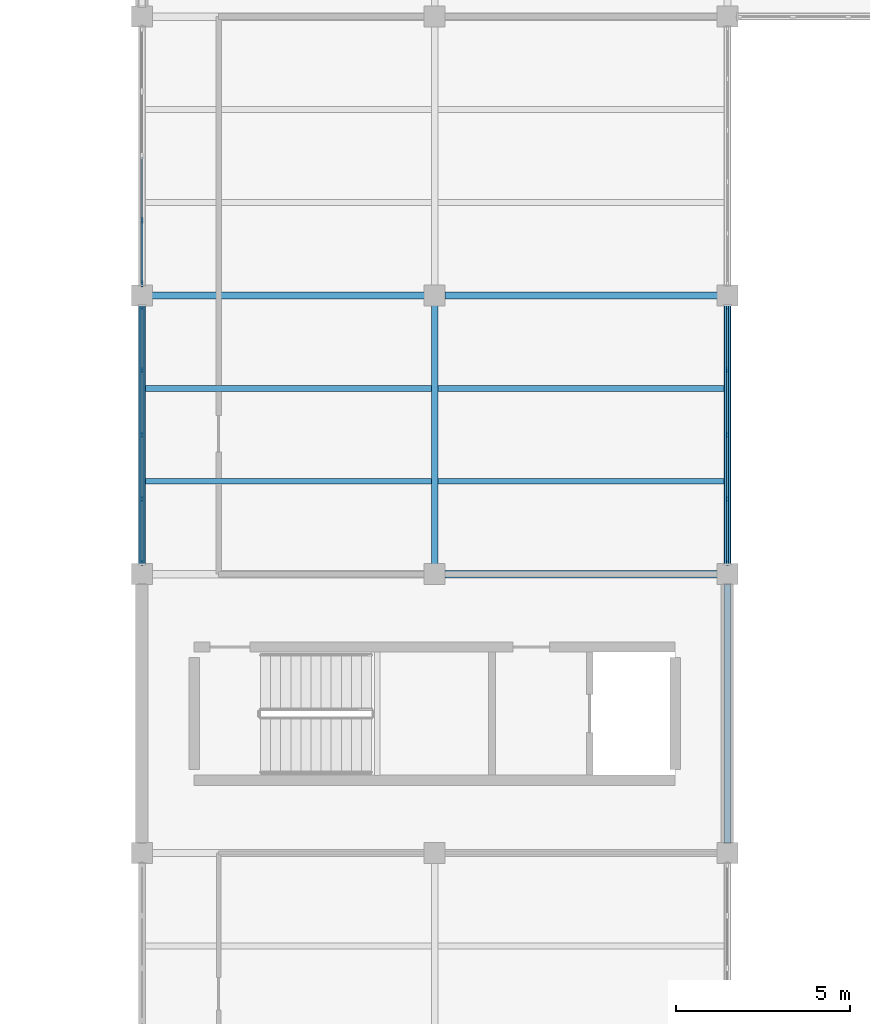
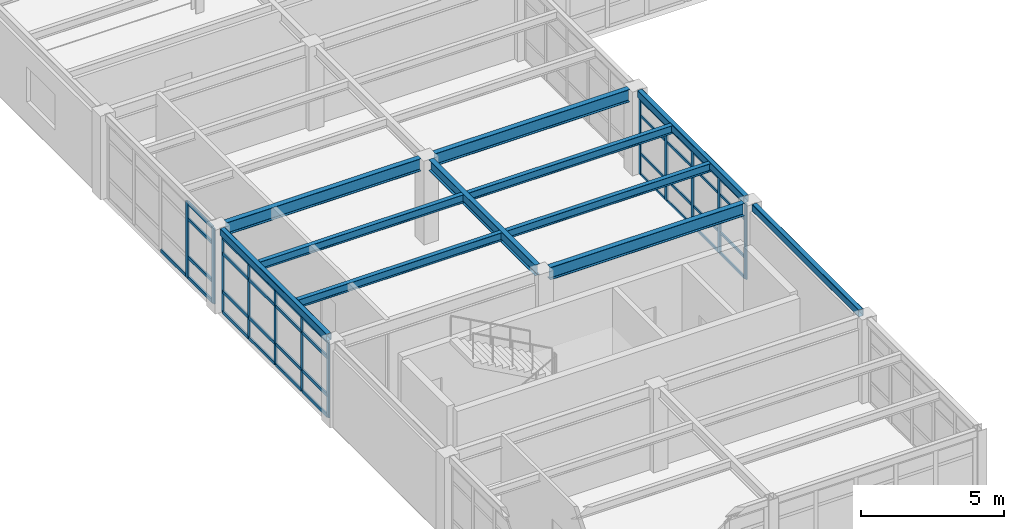
# One storey, part 26 of 96: 49 members, 11 beams, 3 elements without a shape of their own.
"""IFC4 building model written with IfcOpenShell, lengths in metres."""

import ifcopenshell
import ifcopenshell.guid

model = None  # the IFC model being written
_history = None  # IfcOwnerHistory: only IFC2X3 demands one
_inside = {}  # id of a spatial element -> (the spatial element, [elements in it])
_under = {}  # id of a project, library or spatial element -> (it, [spatial elements below it])
_declared = {}  # id of a project -> (the project, [libraries it declares])
_typed = {}  # id of a type object -> (the type object, [elements of that type])
_made_of = {}  # id of a material, layer set ... -> (it, [elements and type objects made of it])


def new_model(schema):
    """Start an empty IFC model of exactly this schema.

    Asked for "IFC4X3", IfcOpenShell would pick the latest addendum, in which some entities
    have other attributes; the version numbers below select the first issue.
    IFC2X3 requires an IfcOwnerHistory on every rooted entity: one is made here for all.
    """
    global model, _history
    if schema == "IFC4X3":
        model = ifcopenshell.file(schema_version=(4, 3, 0, 0))
    else:
        model = ifcopenshell.file(schema=schema)
    _inside.clear()
    _under.clear()
    _declared.clear()
    _typed.clear()
    _made_of.clear()
    _history = None
    if model.schema == "IFC2X3":
        org = make("IfcOrganization", Name="unknown")
        user = make(
            "IfcPersonAndOrganization",
            ThePerson=make("IfcPerson", FamilyName="unknown"),
            TheOrganization=org,
        )
        app = make(
            "IfcApplication",
            ApplicationDeveloper=org,
            Version="unknown",
            ApplicationFullName="unknown",
            ApplicationIdentifier="unknown",
        )
        _history = make(
            "IfcOwnerHistory",
            OwningUser=user,
            OwningApplication=app,
            ChangeAction="ADDED",
            CreationDate=0,
        )
    return model


def make(cls, **values):
    """One entity of the class cls with the attributes given. An attribute that is None is left unset."""
    return model.create_entity(
        cls, **{name: value for name, value in values.items() if value is not None}
    )


def rooted(cls, **values):
    """An entity with a GlobalId (a new one), such as an element, a storey or a relation."""
    return make(cls, GlobalId=ifcopenshell.guid.new(), OwnerHistory=_history, **values)


def si_unit(unit_type, name, prefix=None):
    """IfcSIUnit, for example si_unit("LENGTHUNIT", "METRE", prefix="MILLI")."""
    return make("IfcSIUnit", UnitType=unit_type, Prefix=prefix, Name=name)


def assignment(units):
    """IfcUnitAssignment: the units of a project."""
    return None if units is None else make("IfcUnitAssignment", Units=units)


def point(xyz):
    """IfcCartesianPoint."""
    return None if xyz is None else make("IfcCartesianPoint", Coordinates=xyz)


def direction(xyz):
    """IfcDirection."""
    return None if xyz is None else make("IfcDirection", DirectionRatios=xyz)


def frame(location, z_axis=None, x_axis=None):
    """IfcAxis2Placement3D, a coordinate frame: its origin and axes. An axis left out is left unset."""
    return make(
        "IfcAxis2Placement3D",
        Location=point(location),
        Axis=direction(z_axis),
        RefDirection=direction(x_axis),
    )


def frame_2d(location, x_axis=None):
    """IfcAxis2Placement2D, a coordinate frame in the plane: its origin and x axis."""
    return make(
        "IfcAxis2Placement2D", Location=point(location), RefDirection=direction(x_axis)
    )


def origin():
    """The frame at (0, 0, 0) with its axes left unset."""
    return frame((0.0, 0.0, 0.0))


def origin_2d():
    """The frame at (0, 0) in the plane with its x axis left unset."""
    return frame_2d((0.0, 0.0))


def place(relative_to, where):
    """IfcLocalPlacement: puts the frame where relative to a parent placement (None: the world)."""
    return make(
        "IfcLocalPlacement", PlacementRelTo=relative_to, RelativePlacement=where
    )


def context(
    kind, dimensions, precision=None, world=None, true_north=None, identifier=None
):
    """IfcGeometricRepresentationContext, for example the 3D "Model" context."""
    return make(
        "IfcGeometricRepresentationContext",
        ContextIdentifier=identifier,
        ContextType=kind,
        CoordinateSpaceDimension=dimensions,
        Precision=precision,
        WorldCoordinateSystem=world,
        TrueNorth=true_north,
    )


def subcontext(parent, identifier, kind, view, scale=None):
    """IfcGeometricRepresentationSubContext, for example "Body" below "Model"."""
    return make(
        "IfcGeometricRepresentationSubContext",
        ContextIdentifier=identifier,
        ContextType=kind,
        ParentContext=parent,
        TargetScale=scale,
        TargetView=view,
    )


def project(units=None, contexts=None):
    """IfcProject with its units and contexts."""
    return rooted(
        "IfcProject",
        Name="project",
        RepresentationContexts=contexts,
        UnitsInContext=assignment(units),
    )


def spatial(cls, under=None, at=None, **own):
    """A site, building, storey or space (cls), placed at a placement, below another one or the project."""
    s = rooted(cls, ObjectPlacement=at, **own)
    if under is not None:
        _under.setdefault(under.id(), (under, []))[1].append(s)
    return s


def profile(cls, at=None, kind="AREA", **sizes):
    """A parametric profile (cls). Its sizes go by their IFC names, for example OverallWidth=200.0."""
    return make(cls, ProfileType=kind, Position=at, **sizes)


def rectangle(**sizes):
    """IfcRectangleProfileDef."""
    return profile("IfcRectangleProfileDef", **sizes)


def hollow_rectangle(**sizes):
    """IfcRectangleHollowProfileDef."""
    return profile("IfcRectangleHollowProfileDef", **sizes)


def i_section(**sizes):
    """IfcIShapeProfileDef."""
    return profile("IfcIShapeProfileDef", **sizes)


def extrude(swept, where, along, depth):
    """IfcExtrudedAreaSolid: the profile swept, set in the frame where, extruded along a direction by depth."""
    return make(
        "IfcExtrudedAreaSolid",
        SweptArea=swept,
        Position=where,
        ExtrudedDirection=direction(along),
        Depth=depth,
    )


def shape(context_of_items, identifier, shape_type, items):
    """IfcShapeRepresentation: the items that make up one representation, for example the "Body"."""
    return make(
        "IfcShapeRepresentation",
        ContextOfItems=context_of_items,
        RepresentationIdentifier=identifier,
        RepresentationType=shape_type,
        Items=items,
    )


def material(Name=None, Category=None):
    """IfcMaterial."""
    return make("IfcMaterial", Name=Name, Category=Category)


def layer(
    of_material, thickness, ventilated=None, Name=None, Category=None, Priority=None
):
    """IfcMaterialLayer: one layer of a wall or slab, of a material (None: an air gap)."""
    return make(
        "IfcMaterialLayer",
        Material=of_material,
        LayerThickness=thickness,
        IsVentilated=ventilated,
        Name=Name,
        Category=Category,
        Priority=Priority,
    )


def layer_set(layers, Name=None):
    """IfcMaterialLayerSet."""
    return make("IfcMaterialLayerSet", MaterialLayers=layers, LayerSetName=Name)


def material_profile(
    of_material, cross_section, Name=None, Category=None, Priority=None
):
    """IfcMaterialProfile: a cross section and its material."""
    return make(
        "IfcMaterialProfile",
        Name=Name,
        Material=of_material,
        Profile=cross_section,
        Priority=Priority,
        Category=Category,
    )


def profile_set(profiles, Name=None, composite=None):
    """IfcMaterialProfileSet."""
    return make(
        "IfcMaterialProfileSet",
        Name=Name,
        MaterialProfiles=profiles,
        CompositeProfile=composite,
    )


def made_of(thing, what):
    """Note that an element or type object is made of a material, layer set ...; save() writes the relation."""
    if what is not None:
        _made_of.setdefault(what.id(), (what, []))[1].append(thing)
    return thing


def type_object(cls, material=None, **own):
    """A type object (cls), such as IfcWallType, which elements share."""
    return made_of(rooted(cls, **own), material)


def element(
    cls,
    number,
    at=None,
    inside=None,
    cuts=None,
    type_object=None,
    material=None,
    context=None,
    identifier="Body",
    shape_type=None,
    held_by="IfcProductDefinitionShape",
    body=None,
    shapes=None,
    **own,
):
    """One element of the class cls, such as IfcWall. Its Tag is "e" and its number.

    at: its placement. inside: the storey or other place that contains it. cuts: it is an
    opening in that element (IfcRelVoidsElement). A single representation is given by context,
    identifier, shape_type and body (its items); several are given by shapes. held_by: the class
    of the entity that holds the representations. save() writes the other relations.
    """
    e = rooted(cls, Tag="e%d" % number, ObjectPlacement=at, **own)
    if body is not None:
        shapes = [shape(context, identifier, shape_type, body)]
    if shapes is not None:
        e.Representation = make(held_by, Representations=shapes)
    if inside is not None:
        _inside.setdefault(inside.id(), (inside, []))[1].append(e)
    if cuts is not None:
        rooted(
            "IfcRelVoidsElement", RelatingBuildingElement=cuts, RelatedOpeningElement=e
        )
    if type_object is not None:
        _typed.setdefault(type_object.id(), (type_object, []))[1].append(e)
    return made_of(e, material)


def aggregate(whole, parts):
    """IfcRelAggregates: a whole, such as a stair, and the parts it consists of."""
    return rooted("IfcRelAggregates", RelatingObject=whole, RelatedObjects=parts)


def save(model, path):
    """Write the relations noted so far, then the file.

    IfcRelAggregates (storeys below a building ...), IfcRelContainedInSpatialStructure (elements
    in a storey), IfcRelDefinesByType, IfcRelAssociatesMaterial and IfcRelDeclares: one each for
    every whole, place, type object, material and project.
    """
    for whole, parts in _under.values():
        aggregate(whole, parts)
    for where, things in _inside.values():
        rooted(
            "IfcRelContainedInSpatialStructure",
            RelatedElements=things,
            RelatingStructure=where,
        )
    for kind, things in _typed.values():
        rooted("IfcRelDefinesByType", RelatedObjects=things, RelatingType=kind)
    for what, things in _made_of.values():
        rooted("IfcRelAssociatesMaterial", RelatedObjects=things, RelatingMaterial=what)
    for by, libraries in _declared.values():
        rooted("IfcRelDeclares", RelatingContext=by, RelatedDefinitions=libraries)
    model.write(path)


model = new_model("IFC4")

# Units and contexts
model_context = context("Model", 3, precision=1e-05, world=origin(), true_north=direction((0.0, 1.0)))
body_context = subcontext(model_context, "Body", "Model", "MODEL_VIEW")
ifc_project = project(units=[si_unit("LENGTHUNIT", "METRE"), si_unit("AREAUNIT", "SQUARE_METRE"), si_unit("VOLUMEUNIT", "CUBIC_METRE"), si_unit("PLANEANGLEUNIT", "RADIAN"), si_unit("MASSUNIT", "GRAM", prefix="KILO")], contexts=[model_context])

# Site, building, storey
site_placement = place(None, origin())
site = spatial("IfcSite", under=ifc_project, at=site_placement, CompositionType="ELEMENT")
building_placement = place(site_placement, origin())
building = spatial("IfcBuilding", under=site, at=building_placement, Name="Kranzveld Transit Interchange", CompositionType="ELEMENT")
storey_placement = place(building_placement, frame((0.0, 0.0, 9.52001953125)))
storey = spatial("IfcBuildingStorey", under=building, at=storey_placement, Name="L02", CompositionType="ELEMENT", Elevation=9.52001953125)

# Beam
ifc_material_1 = material(Name="Steel S355JR", Category="steel")
ifc_material_profile_1 = material_profile(ifc_material_1, i_section(OverallWidth=0.19189453125, OverallDepth=0.46337890625, WebThickness=0.010498046875, FlangeThickness=0.017578125, FilletRadius=0.01025390625, at=origin_2d()), Name="UB 457x191x89")
ifc_profile_set_1 = profile_set([ifc_material_profile_1], Name="Steel S355JR")
beam_type_1 = type_object("IfcBeamType", Name="Beam Steel UB 457x191x89 S355JR", PredefinedType="BEAM", material=ifc_profile_set_1)
beam_1_placement = place(storey_placement, frame((109.199951171875, 80.2900390625, 3.33837890625), z_axis=(0.0, 1.0, 0.0), x_axis=(-1.0, 0.0, 0.0)))
element("IfcBeam", 1, at=beam_1_placement, inside=storey, type_object=beam_type_1, Name="L02 Girder 14/L-M", PredefinedType="BEAM", context=body_context, shape_type="SweptSolid", body=[
    extrude(i_section(OverallWidth=0.19189453125, OverallDepth=0.46337890625, WebThickness=0.010498046875, FlangeThickness=0.017578125, FilletRadius=0.01025390625, at=origin_2d()), origin(), (0.0, 0.0, 1.0), 7.419921875),
])

# Curtain wall, members
ifc_material_2 = material(Name="Bronze-anodised thermally broken aluminium", Category="aluminium")
ifc_layer_1 = layer(ifc_material_2, 0.159912109375)
ifc_layer_set_1 = layer_set([ifc_layer_1], Name="Bronze-anodised thermally broken aluminium")
curtain_wall_type_1 = type_object("IfcCurtainWallType", Name="Bus Boarding Glazed Screen CW-3", PredefinedType="USERDEFINED", material=ifc_layer_set_1)
curtain_wall_1_placement = place(storey_placement, origin())
curtain_wall_1 = element("IfcCurtainWall", 2, at=curtain_wall_1_placement, inside=storey, type_object=curtain_wall_type_1, Name="L02 Curtain Wall 15/L-15/M", ObjectType="CURTAIN WALL", PredefinedType="USERDEFINED")
ifc_material_3 = material(Name="Bronze-anodised thermally broken aluminium", Category="aluminium")
ifc_material_profile_2 = material_profile(ifc_material_3, rectangle(XDim=0.06005859375, YDim=0.14990234375, at=origin_2d()), Name="ALU MULLION 60x150")
ifc_profile_set_2 = profile_set([ifc_material_profile_2], Name="Bronze-anodised thermally broken aluminium")
member_type_1 = type_object("IfcMemberType", Name="Curtain Wall Mullion 60x150 Alu", PredefinedType="MULLION", material=ifc_profile_set_2)
member_1_placement = place(storey_placement, frame((117.60009765625, 80.330078125, 0.0), z_axis=(0.0, 0.0, 1.0), x_axis=(-1.0, 0.0, 0.0)))
member_1 = element("IfcMember", 3, at=member_1_placement, type_object=member_type_1, Name="CW-3 mullion 1", PredefinedType="MULLION", context=body_context, shape_type="SweptSolid", body=[
    extrude(rectangle(XDim=0.06005859375, YDim=0.14990234375, at=origin_2d()), origin(), (0.0, 0.0, 1.0), 3.218505859375),
])
member_2_placement = place(storey_placement, frame((117.60009765625, 82.14990234375, 0.0), z_axis=(0.0, 0.0, 1.0), x_axis=(-1.0, 0.0, 0.0)))
member_2 = element("IfcMember", 4, at=member_2_placement, type_object=member_type_1, Name="CW-3 mullion 2", PredefinedType="MULLION", context=body_context, shape_type="SweptSolid", body=[
    extrude(rectangle(XDim=0.06005859375, YDim=0.14990234375, at=origin_2d()), origin(), (0.0, 0.0, 1.0), 3.218505859375),
])
member_3_placement = place(storey_placement, frame((117.60009765625, 84.0, 0.0), z_axis=(0.0, 0.0, 1.0), x_axis=(-1.0, 0.0, 0.0)))
member_3 = element("IfcMember", 5, at=member_3_placement, type_object=member_type_1, Name="CW-3 mullion 3", PredefinedType="MULLION", context=body_context, shape_type="SweptSolid", body=[
    extrude(rectangle(XDim=0.06005859375, YDim=0.14990234375, at=origin_2d()), origin(), (0.0, 0.0, 1.0), 3.218505859375),
])
member_4_placement = place(storey_placement, frame((117.60009765625, 85.85009765625, 0.0), z_axis=(0.0, 0.0, 1.0), x_axis=(-1.0, 0.0, 0.0)))
member_4 = element("IfcMember", 6, at=member_4_placement, type_object=member_type_1, Name="CW-3 mullion 4", PredefinedType="MULLION", context=body_context, shape_type="SweptSolid", body=[
    extrude(rectangle(XDim=0.06005859375, YDim=0.14990234375, at=origin_2d()), origin(), (0.0, 0.0, 1.0), 3.218505859375),
])
member_5_placement = place(storey_placement, frame((117.60009765625, 87.669921875, 0.0), z_axis=(0.0, 0.0, 1.0), x_axis=(-1.0, 0.0, 0.0)))
member_5 = element("IfcMember", 7, at=member_5_placement, type_object=member_type_1, Name="CW-3 mullion 5", PredefinedType="MULLION", context=body_context, shape_type="SweptSolid", body=[
    extrude(rectangle(XDim=0.06005859375, YDim=0.14990234375, at=origin_2d()), origin(), (0.0, 0.0, 1.0), 3.218505859375),
])

curtain_wall_2_placement = place(storey_placement, origin())
curtain_wall_2 = element("IfcCurtainWall", 8, at=curtain_wall_2_placement, inside=storey, type_object=curtain_wall_type_1, Name="L02 Curtain Wall 13/L-13/M", ObjectType="CURTAIN WALL", PredefinedType="USERDEFINED")
member_6_placement = place(storey_placement, frame((100.800048828125, 80.330078125, 0.0), z_axis=(0.0, 0.0, 1.0), x_axis=(-1.0, 0.0, 0.0)))
member_6 = element("IfcMember", 9, at=member_6_placement, type_object=member_type_1, Name="CW-3 mullion 1", PredefinedType="MULLION", context=body_context, shape_type="SweptSolid", body=[
    extrude(rectangle(XDim=0.06005859375, YDim=0.14990234375, at=origin_2d()), origin(), (0.0, 0.0, 1.0), 3.218505859375),
])
member_7_placement = place(storey_placement, frame((100.800048828125, 82.14990234375, 0.0), z_axis=(0.0, 0.0, 1.0), x_axis=(-1.0, 0.0, 0.0)))
member_7 = element("IfcMember", 10, at=member_7_placement, type_object=member_type_1, Name="CW-3 mullion 2", PredefinedType="MULLION", context=body_context, shape_type="SweptSolid", body=[
    extrude(rectangle(XDim=0.06005859375, YDim=0.14990234375, at=origin_2d()), origin(), (0.0, 0.0, 1.0), 3.218505859375),
])
member_8_placement = place(storey_placement, frame((100.800048828125, 84.0, 0.0), z_axis=(0.0, 0.0, 1.0), x_axis=(-1.0, 0.0, 0.0)))
member_8 = element("IfcMember", 11, at=member_8_placement, type_object=member_type_1, Name="CW-3 mullion 3", PredefinedType="MULLION", context=body_context, shape_type="SweptSolid", body=[
    extrude(rectangle(XDim=0.06005859375, YDim=0.14990234375, at=origin_2d()), origin(), (0.0, 0.0, 1.0), 3.218505859375),
])
member_9_placement = place(storey_placement, frame((100.800048828125, 85.85009765625, 0.0), z_axis=(0.0, 0.0, 1.0), x_axis=(-1.0, 0.0, 0.0)))
member_9 = element("IfcMember", 12, at=member_9_placement, type_object=member_type_1, Name="CW-3 mullion 4", PredefinedType="MULLION", context=body_context, shape_type="SweptSolid", body=[
    extrude(rectangle(XDim=0.06005859375, YDim=0.14990234375, at=origin_2d()), origin(), (0.0, 0.0, 1.0), 3.218505859375),
])
member_10_placement = place(storey_placement, frame((100.800048828125, 87.669921875, 0.0), z_axis=(0.0, 0.0, 1.0), x_axis=(-1.0, 0.0, 0.0)))
member_10 = element("IfcMember", 13, at=member_10_placement, type_object=member_type_1, Name="CW-3 mullion 5", PredefinedType="MULLION", context=body_context, shape_type="SweptSolid", body=[
    extrude(rectangle(XDim=0.06005859375, YDim=0.14990234375, at=origin_2d()), origin(), (0.0, 0.0, 1.0), 3.218505859375),
])

ifc_material_4 = material(Name="Bronze-anodised thermally broken aluminium", Category="aluminium")
ifc_layer_2 = layer(ifc_material_4, 0.179931640625)
ifc_layer_set_2 = layer_set([ifc_layer_2], Name="Bronze-anodised thermally broken aluminium")
curtain_wall_type_2 = type_object("IfcCurtainWallType", Name="Concourse Unitised Curtain Wall CW-1", PredefinedType="USERDEFINED", material=ifc_layer_set_2)
curtain_wall_3_placement = place(storey_placement, origin())
curtain_wall_3 = element("IfcCurtainWall", 14, at=curtain_wall_3_placement, inside=storey, type_object=curtain_wall_type_2, Name="L02 Curtain Wall 13/M-13/N", ObjectType="CURTAIN WALL", PredefinedType="USERDEFINED")
ifc_material_5 = material(Name="Bronze-anodised thermally broken aluminium", Category="aluminium")
ifc_material_profile_3 = material_profile(ifc_material_5, rectangle(XDim=0.06494140625, YDim=0.179931640625, at=origin_2d()), Name="ALU MULLION 65x180")
ifc_profile_set_3 = profile_set([ifc_material_profile_3], Name="Bronze-anodised thermally broken aluminium")
member_type_2 = type_object("IfcMemberType", Name="Curtain Wall Mullion 65x180 Alu", PredefinedType="MULLION", material=ifc_profile_set_3)
member_11_placement = place(storey_placement, frame((100.800048828125, 88.33251953125, 0.0), z_axis=(0.0, 0.0, 1.0), x_axis=(-1.0, 0.0, 0.0)))
member_11 = element("IfcMember", 15, at=member_11_placement, type_object=member_type_2, Name="CW-1 mullion 1", PredefinedType="MULLION", context=body_context, shape_type="SweptSolid", body=[
    extrude(rectangle(XDim=0.06494140625, YDim=0.179931640625, at=origin_2d()), origin(), (0.0, 0.0, 1.0), 3.218505859375),
])
member_12_placement = place(storey_placement, frame((100.800048828125, 90.14990234375, 0.0), z_axis=(0.0, 0.0, 1.0), x_axis=(-1.0, 0.0, 0.0)))
member_12 = element("IfcMember", 16, at=member_12_placement, type_object=member_type_2, Name="CW-1 mullion 2", PredefinedType="MULLION", context=body_context, shape_type="SweptSolid", body=[
    extrude(rectangle(XDim=0.06494140625, YDim=0.179931640625, at=origin_2d()), origin(), (0.0, 0.0, 1.0), 3.218505859375),
])

# Member
ifc_material_6 = material(Name="Bronze-anodised thermally broken aluminium", Category="aluminium")
ifc_material_profile_4 = material_profile(ifc_material_6, rectangle(XDim=0.06005859375, YDim=0.110107421875, at=origin_2d()), Name="ALU TRANSOM 60x110")
ifc_profile_set_4 = profile_set([ifc_material_profile_4], Name="Bronze-anodised thermally broken aluminium")
member_type_3 = type_object("IfcMemberType", Name="Curtain Wall Transom 60x110 Alu", PredefinedType="USERDEFINED", material=ifc_profile_set_4)
member_13_placement = place(storey_placement, frame((117.60009765625, 80.360107421875, 0.030029296875), z_axis=(0.0, 1.0, 0.0), x_axis=(-1.0, 0.0, 0.0)))
member_13 = element("IfcMember", 17, at=member_13_placement, type_object=member_type_3, Name="CW-3 transom 1.1", ObjectType="TRANSOM", PredefinedType="USERDEFINED", context=body_context, shape_type="SweptSolid", body=[
    extrude(rectangle(XDim=0.06005859375, YDim=0.110107421875, at=origin_2d()), origin(), (0.0, 0.0, 1.0), 1.760009765625),
])

member_14_placement = place(storey_placement, frame((117.60009765625, 80.360107421875, 0.89990234375), z_axis=(0.0, 1.0, 0.0), x_axis=(-1.0, 0.0, 0.0)))
member_14 = element("IfcMember", 18, at=member_14_placement, type_object=member_type_3, Name="CW-3 transom 1.2", ObjectType="TRANSOM", PredefinedType="USERDEFINED", context=body_context, shape_type="SweptSolid", body=[
    extrude(rectangle(XDim=0.06005859375, YDim=0.110107421875, at=origin_2d()), origin(), (0.0, 0.0, 1.0), 1.760009765625),
])

member_15_placement = place(storey_placement, frame((117.60009765625, 80.360107421875, 2.5185546875), z_axis=(0.0, 1.0, 0.0), x_axis=(-1.0, 0.0, 0.0)))
member_15 = element("IfcMember", 19, at=member_15_placement, type_object=member_type_3, Name="CW-3 transom 1.3", ObjectType="TRANSOM", PredefinedType="USERDEFINED", context=body_context, shape_type="SweptSolid", body=[
    extrude(rectangle(XDim=0.06005859375, YDim=0.110107421875, at=origin_2d()), origin(), (0.0, 0.0, 1.0), 1.760009765625),
])

member_16_placement = place(storey_placement, frame((117.60009765625, 80.360107421875, 3.1884765625), z_axis=(0.0, 1.0, 0.0), x_axis=(-1.0, 0.0, 0.0)))
member_16 = element("IfcMember", 20, at=member_16_placement, type_object=member_type_3, Name="CW-3 transom 1.4", ObjectType="TRANSOM", PredefinedType="USERDEFINED", context=body_context, shape_type="SweptSolid", body=[
    extrude(rectangle(XDim=0.06005859375, YDim=0.110107421875, at=origin_2d()), origin(), (0.0, 0.0, 1.0), 1.760009765625),
])

member_17_placement = place(storey_placement, frame((117.60009765625, 82.179931640625, 0.030029296875), z_axis=(0.0, 1.0, 0.0), x_axis=(-1.0, 0.0, 0.0)))
member_17 = element("IfcMember", 21, at=member_17_placement, type_object=member_type_3, Name="CW-3 transom 2.1", ObjectType="TRANSOM", PredefinedType="USERDEFINED", context=body_context, shape_type="SweptSolid", body=[
    extrude(rectangle(XDim=0.06005859375, YDim=0.110107421875, at=origin_2d()), origin(), (0.0, 0.0, 1.0), 1.7900390625),
])

member_18_placement = place(storey_placement, frame((117.60009765625, 82.179931640625, 0.89990234375), z_axis=(0.0, 1.0, 0.0), x_axis=(-1.0, 0.0, 0.0)))
member_18 = element("IfcMember", 22, at=member_18_placement, type_object=member_type_3, Name="CW-3 transom 2.2", ObjectType="TRANSOM", PredefinedType="USERDEFINED", context=body_context, shape_type="SweptSolid", body=[
    extrude(rectangle(XDim=0.06005859375, YDim=0.110107421875, at=origin_2d()), origin(), (0.0, 0.0, 1.0), 1.7900390625),
])

member_19_placement = place(storey_placement, frame((117.60009765625, 82.179931640625, 2.5185546875), z_axis=(0.0, 1.0, 0.0), x_axis=(-1.0, 0.0, 0.0)))
member_19 = element("IfcMember", 23, at=member_19_placement, type_object=member_type_3, Name="CW-3 transom 2.3", ObjectType="TRANSOM", PredefinedType="USERDEFINED", context=body_context, shape_type="SweptSolid", body=[
    extrude(rectangle(XDim=0.06005859375, YDim=0.110107421875, at=origin_2d()), origin(), (0.0, 0.0, 1.0), 1.7900390625),
])

member_20_placement = place(storey_placement, frame((117.60009765625, 82.179931640625, 3.1884765625), z_axis=(0.0, 1.0, 0.0), x_axis=(-1.0, 0.0, 0.0)))
member_20 = element("IfcMember", 24, at=member_20_placement, type_object=member_type_3, Name="CW-3 transom 2.4", ObjectType="TRANSOM", PredefinedType="USERDEFINED", context=body_context, shape_type="SweptSolid", body=[
    extrude(rectangle(XDim=0.06005859375, YDim=0.110107421875, at=origin_2d()), origin(), (0.0, 0.0, 1.0), 1.7900390625),
])

member_21_placement = place(storey_placement, frame((117.60009765625, 84.030029296875, 0.030029296875), z_axis=(0.0, 1.0, 0.0), x_axis=(-1.0, 0.0, 0.0)))
member_21 = element("IfcMember", 25, at=member_21_placement, type_object=member_type_3, Name="CW-3 transom 3.1", ObjectType="TRANSOM", PredefinedType="USERDEFINED", context=body_context, shape_type="SweptSolid", body=[
    extrude(rectangle(XDim=0.06005859375, YDim=0.110107421875, at=origin_2d()), origin(), (0.0, 0.0, 1.0), 1.7900390625),
])

member_22_placement = place(storey_placement, frame((117.60009765625, 84.030029296875, 0.89990234375), z_axis=(0.0, 1.0, 0.0), x_axis=(-1.0, 0.0, 0.0)))
member_22 = element("IfcMember", 26, at=member_22_placement, type_object=member_type_3, Name="CW-3 transom 3.2", ObjectType="TRANSOM", PredefinedType="USERDEFINED", context=body_context, shape_type="SweptSolid", body=[
    extrude(rectangle(XDim=0.06005859375, YDim=0.110107421875, at=origin_2d()), origin(), (0.0, 0.0, 1.0), 1.7900390625),
])

member_23_placement = place(storey_placement, frame((117.60009765625, 84.030029296875, 2.5185546875), z_axis=(0.0, 1.0, 0.0), x_axis=(-1.0, 0.0, 0.0)))
member_23 = element("IfcMember", 27, at=member_23_placement, type_object=member_type_3, Name="CW-3 transom 3.3", ObjectType="TRANSOM", PredefinedType="USERDEFINED", context=body_context, shape_type="SweptSolid", body=[
    extrude(rectangle(XDim=0.06005859375, YDim=0.110107421875, at=origin_2d()), origin(), (0.0, 0.0, 1.0), 1.7900390625),
])

member_24_placement = place(storey_placement, frame((117.60009765625, 84.030029296875, 3.1884765625), z_axis=(0.0, 1.0, 0.0), x_axis=(-1.0, 0.0, 0.0)))
member_24 = element("IfcMember", 28, at=member_24_placement, type_object=member_type_3, Name="CW-3 transom 3.4", ObjectType="TRANSOM", PredefinedType="USERDEFINED", context=body_context, shape_type="SweptSolid", body=[
    extrude(rectangle(XDim=0.06005859375, YDim=0.110107421875, at=origin_2d()), origin(), (0.0, 0.0, 1.0), 1.7900390625),
])

member_25_placement = place(storey_placement, frame((117.60009765625, 85.8798828125, 0.030029296875), z_axis=(0.0, 1.0, 0.0), x_axis=(-1.0, 0.0, 0.0)))
member_25 = element("IfcMember", 29, at=member_25_placement, type_object=member_type_3, Name="CW-3 transom 4.1", ObjectType="TRANSOM", PredefinedType="USERDEFINED", context=body_context, shape_type="SweptSolid", body=[
    extrude(rectangle(XDim=0.06005859375, YDim=0.110107421875, at=origin_2d()), origin(), (0.0, 0.0, 1.0), 1.760009765625),
])

member_26_placement = place(storey_placement, frame((117.60009765625, 85.8798828125, 0.89990234375), z_axis=(0.0, 1.0, 0.0), x_axis=(-1.0, 0.0, 0.0)))
member_26 = element("IfcMember", 30, at=member_26_placement, type_object=member_type_3, Name="CW-3 transom 4.2", ObjectType="TRANSOM", PredefinedType="USERDEFINED", context=body_context, shape_type="SweptSolid", body=[
    extrude(rectangle(XDim=0.06005859375, YDim=0.110107421875, at=origin_2d()), origin(), (0.0, 0.0, 1.0), 1.760009765625),
])

member_27_placement = place(storey_placement, frame((117.60009765625, 85.8798828125, 2.5185546875), z_axis=(0.0, 1.0, 0.0), x_axis=(-1.0, 0.0, 0.0)))
member_27 = element("IfcMember", 31, at=member_27_placement, type_object=member_type_3, Name="CW-3 transom 4.3", ObjectType="TRANSOM", PredefinedType="USERDEFINED", context=body_context, shape_type="SweptSolid", body=[
    extrude(rectangle(XDim=0.06005859375, YDim=0.110107421875, at=origin_2d()), origin(), (0.0, 0.0, 1.0), 1.760009765625),
])

member_28_placement = place(storey_placement, frame((117.60009765625, 85.8798828125, 3.1884765625), z_axis=(0.0, 1.0, 0.0), x_axis=(-1.0, 0.0, 0.0)))
member_28 = element("IfcMember", 32, at=member_28_placement, type_object=member_type_3, Name="CW-3 transom 4.4", ObjectType="TRANSOM", PredefinedType="USERDEFINED", context=body_context, shape_type="SweptSolid", body=[
    extrude(rectangle(XDim=0.06005859375, YDim=0.110107421875, at=origin_2d()), origin(), (0.0, 0.0, 1.0), 1.760009765625),
])

aggregate(curtain_wall_1, [member_1, member_2, member_3, member_4, member_5, member_13, member_14, member_15, member_16, member_17, member_18, member_19, member_20, member_21, member_22, member_23, member_24, member_25, member_26, member_27, member_28])

ifc_material_7 = material(Name="Bronze-anodised thermally broken aluminium", Category="aluminium")
ifc_material_profile_5 = material_profile(ifc_material_7, rectangle(XDim=0.06494140625, YDim=0.139892578125, at=origin_2d()), Name="ALU TRANSOM 65x140")
ifc_profile_set_5 = profile_set([ifc_material_profile_5], Name="Bronze-anodised thermally broken aluminium")
member_type_4 = type_object("IfcMemberType", Name="Curtain Wall Transom 65x140 Alu", PredefinedType="USERDEFINED", material=ifc_profile_set_5)
member_29_placement = place(storey_placement, frame((100.800048828125, 80.360107421875, 0.032470703125), z_axis=(0.0, 1.0, 0.0), x_axis=(-1.0, 0.0, 0.0)))
member_29 = element("IfcMember", 33, at=member_29_placement, type_object=member_type_4, Name="CW-3 transom 1.1", ObjectType="TRANSOM", PredefinedType="USERDEFINED", context=body_context, shape_type="SweptSolid", body=[
    extrude(rectangle(XDim=0.06494140625, YDim=0.139892578125, at=origin_2d()), origin(), (0.0, 0.0, 1.0), 1.760009765625),
])

member_30_placement = place(storey_placement, frame((100.800048828125, 80.360107421875, 0.89990234375), z_axis=(0.0, 1.0, 0.0), x_axis=(-1.0, 0.0, 0.0)))
member_30 = element("IfcMember", 34, at=member_30_placement, type_object=member_type_4, Name="CW-3 transom 1.2", ObjectType="TRANSOM", PredefinedType="USERDEFINED", context=body_context, shape_type="SweptSolid", body=[
    extrude(rectangle(XDim=0.06494140625, YDim=0.139892578125, at=origin_2d()), origin(), (0.0, 0.0, 1.0), 1.760009765625),
])

member_31_placement = place(storey_placement, frame((100.800048828125, 80.360107421875, 2.5185546875), z_axis=(0.0, 1.0, 0.0), x_axis=(-1.0, 0.0, 0.0)))
member_31 = element("IfcMember", 35, at=member_31_placement, type_object=member_type_4, Name="CW-3 transom 1.3", ObjectType="TRANSOM", PredefinedType="USERDEFINED", context=body_context, shape_type="SweptSolid", body=[
    extrude(rectangle(XDim=0.06494140625, YDim=0.139892578125, at=origin_2d()), origin(), (0.0, 0.0, 1.0), 1.760009765625),
])

member_32_placement = place(storey_placement, frame((100.800048828125, 80.360107421875, 3.18603515625), z_axis=(0.0, 1.0, 0.0), x_axis=(-1.0, 0.0, 0.0)))
member_32 = element("IfcMember", 36, at=member_32_placement, type_object=member_type_4, Name="CW-3 transom 1.4", ObjectType="TRANSOM", PredefinedType="USERDEFINED", context=body_context, shape_type="SweptSolid", body=[
    extrude(rectangle(XDim=0.06494140625, YDim=0.139892578125, at=origin_2d()), origin(), (0.0, 0.0, 1.0), 1.760009765625),
])

member_33_placement = place(storey_placement, frame((100.800048828125, 82.179931640625, 0.032470703125), z_axis=(0.0, 1.0, 0.0), x_axis=(-1.0, 0.0, 0.0)))
member_33 = element("IfcMember", 37, at=member_33_placement, type_object=member_type_4, Name="CW-3 transom 2.1", ObjectType="TRANSOM", PredefinedType="USERDEFINED", context=body_context, shape_type="SweptSolid", body=[
    extrude(rectangle(XDim=0.06494140625, YDim=0.139892578125, at=origin_2d()), origin(), (0.0, 0.0, 1.0), 1.7900390625),
])

member_34_placement = place(storey_placement, frame((100.800048828125, 82.179931640625, 0.89990234375), z_axis=(0.0, 1.0, 0.0), x_axis=(-1.0, 0.0, 0.0)))
member_34 = element("IfcMember", 38, at=member_34_placement, type_object=member_type_4, Name="CW-3 transom 2.2", ObjectType="TRANSOM", PredefinedType="USERDEFINED", context=body_context, shape_type="SweptSolid", body=[
    extrude(rectangle(XDim=0.06494140625, YDim=0.139892578125, at=origin_2d()), origin(), (0.0, 0.0, 1.0), 1.7900390625),
])

member_35_placement = place(storey_placement, frame((100.800048828125, 82.179931640625, 2.5185546875), z_axis=(0.0, 1.0, 0.0), x_axis=(-1.0, 0.0, 0.0)))
member_35 = element("IfcMember", 39, at=member_35_placement, type_object=member_type_4, Name="CW-3 transom 2.3", ObjectType="TRANSOM", PredefinedType="USERDEFINED", context=body_context, shape_type="SweptSolid", body=[
    extrude(rectangle(XDim=0.06494140625, YDim=0.139892578125, at=origin_2d()), origin(), (0.0, 0.0, 1.0), 1.7900390625),
])

member_36_placement = place(storey_placement, frame((100.800048828125, 82.179931640625, 3.18603515625), z_axis=(0.0, 1.0, 0.0), x_axis=(-1.0, 0.0, 0.0)))
member_36 = element("IfcMember", 40, at=member_36_placement, type_object=member_type_4, Name="CW-3 transom 2.4", ObjectType="TRANSOM", PredefinedType="USERDEFINED", context=body_context, shape_type="SweptSolid", body=[
    extrude(rectangle(XDim=0.06494140625, YDim=0.139892578125, at=origin_2d()), origin(), (0.0, 0.0, 1.0), 1.7900390625),
])

member_37_placement = place(storey_placement, frame((100.800048828125, 84.030029296875, 0.032470703125), z_axis=(0.0, 1.0, 0.0), x_axis=(-1.0, 0.0, 0.0)))
member_37 = element("IfcMember", 41, at=member_37_placement, type_object=member_type_4, Name="CW-3 transom 3.1", ObjectType="TRANSOM", PredefinedType="USERDEFINED", context=body_context, shape_type="SweptSolid", body=[
    extrude(rectangle(XDim=0.06494140625, YDim=0.139892578125, at=origin_2d()), origin(), (0.0, 0.0, 1.0), 1.7900390625),
])

member_38_placement = place(storey_placement, frame((100.800048828125, 84.030029296875, 0.89990234375), z_axis=(0.0, 1.0, 0.0), x_axis=(-1.0, 0.0, 0.0)))
member_38 = element("IfcMember", 42, at=member_38_placement, type_object=member_type_4, Name="CW-3 transom 3.2", ObjectType="TRANSOM", PredefinedType="USERDEFINED", context=body_context, shape_type="SweptSolid", body=[
    extrude(rectangle(XDim=0.06494140625, YDim=0.139892578125, at=origin_2d()), origin(), (0.0, 0.0, 1.0), 1.7900390625),
])

member_39_placement = place(storey_placement, frame((100.800048828125, 84.030029296875, 2.5185546875), z_axis=(0.0, 1.0, 0.0), x_axis=(-1.0, 0.0, 0.0)))
member_39 = element("IfcMember", 43, at=member_39_placement, type_object=member_type_4, Name="CW-3 transom 3.3", ObjectType="TRANSOM", PredefinedType="USERDEFINED", context=body_context, shape_type="SweptSolid", body=[
    extrude(rectangle(XDim=0.06494140625, YDim=0.139892578125, at=origin_2d()), origin(), (0.0, 0.0, 1.0), 1.7900390625),
])

member_40_placement = place(storey_placement, frame((100.800048828125, 84.030029296875, 3.18603515625), z_axis=(0.0, 1.0, 0.0), x_axis=(-1.0, 0.0, 0.0)))
member_40 = element("IfcMember", 44, at=member_40_placement, type_object=member_type_4, Name="CW-3 transom 3.4", ObjectType="TRANSOM", PredefinedType="USERDEFINED", context=body_context, shape_type="SweptSolid", body=[
    extrude(rectangle(XDim=0.06494140625, YDim=0.139892578125, at=origin_2d()), origin(), (0.0, 0.0, 1.0), 1.7900390625),
])

member_41_placement = place(storey_placement, frame((100.800048828125, 85.8798828125, 0.032470703125), z_axis=(0.0, 1.0, 0.0), x_axis=(-1.0, 0.0, 0.0)))
member_41 = element("IfcMember", 45, at=member_41_placement, type_object=member_type_4, Name="CW-3 transom 4.1", ObjectType="TRANSOM", PredefinedType="USERDEFINED", context=body_context, shape_type="SweptSolid", body=[
    extrude(rectangle(XDim=0.06494140625, YDim=0.139892578125, at=origin_2d()), origin(), (0.0, 0.0, 1.0), 1.760009765625),
])

member_42_placement = place(storey_placement, frame((100.800048828125, 85.8798828125, 0.89990234375), z_axis=(0.0, 1.0, 0.0), x_axis=(-1.0, 0.0, 0.0)))
member_42 = element("IfcMember", 46, at=member_42_placement, type_object=member_type_4, Name="CW-3 transom 4.2", ObjectType="TRANSOM", PredefinedType="USERDEFINED", context=body_context, shape_type="SweptSolid", body=[
    extrude(rectangle(XDim=0.06494140625, YDim=0.139892578125, at=origin_2d()), origin(), (0.0, 0.0, 1.0), 1.760009765625),
])

member_43_placement = place(storey_placement, frame((100.800048828125, 85.8798828125, 2.5185546875), z_axis=(0.0, 1.0, 0.0), x_axis=(-1.0, 0.0, 0.0)))
member_43 = element("IfcMember", 47, at=member_43_placement, type_object=member_type_4, Name="CW-3 transom 4.3", ObjectType="TRANSOM", PredefinedType="USERDEFINED", context=body_context, shape_type="SweptSolid", body=[
    extrude(rectangle(XDim=0.06494140625, YDim=0.139892578125, at=origin_2d()), origin(), (0.0, 0.0, 1.0), 1.760009765625),
])

member_44_placement = place(storey_placement, frame((100.800048828125, 85.8798828125, 3.18603515625), z_axis=(0.0, 1.0, 0.0), x_axis=(-1.0, 0.0, 0.0)))
member_44 = element("IfcMember", 48, at=member_44_placement, type_object=member_type_4, Name="CW-3 transom 4.4", ObjectType="TRANSOM", PredefinedType="USERDEFINED", context=body_context, shape_type="SweptSolid", body=[
    extrude(rectangle(XDim=0.06494140625, YDim=0.139892578125, at=origin_2d()), origin(), (0.0, 0.0, 1.0), 1.760009765625),
])

aggregate(curtain_wall_2, [member_6, member_7, member_8, member_9, member_10, member_29, member_30, member_31, member_32, member_33, member_34, member_35, member_36, member_37, member_38, member_39, member_40, member_41, member_42, member_43, member_44])

member_45_placement = place(storey_placement, frame((100.800048828125, 88.364990234375, 0.032470703125), z_axis=(0.0, 1.0, 0.0), x_axis=(-1.0, 0.0, 0.0)))
member_45 = element("IfcMember", 49, at=member_45_placement, type_object=member_type_4, Name="CW-1 transom 1.1", ObjectType="TRANSOM", PredefinedType="USERDEFINED", context=body_context, shape_type="SweptSolid", body=[
    extrude(rectangle(XDim=0.06494140625, YDim=0.139892578125, at=origin_2d()), origin(), (0.0, 0.0, 1.0), 1.75244140625),
])

member_46_placement = place(storey_placement, frame((100.800048828125, 88.364990234375, 0.89990234375), z_axis=(0.0, 1.0, 0.0), x_axis=(-1.0, 0.0, 0.0)))
member_46 = element("IfcMember", 50, at=member_46_placement, type_object=member_type_4, Name="CW-1 transom 1.2", ObjectType="TRANSOM", PredefinedType="USERDEFINED", context=body_context, shape_type="SweptSolid", body=[
    extrude(rectangle(XDim=0.06494140625, YDim=0.139892578125, at=origin_2d()), origin(), (0.0, 0.0, 1.0), 1.75244140625),
])

member_47_placement = place(storey_placement, frame((100.800048828125, 88.364990234375, 2.5185546875), z_axis=(0.0, 1.0, 0.0), x_axis=(-1.0, 0.0, 0.0)))
member_47 = element("IfcMember", 51, at=member_47_placement, type_object=member_type_4, Name="CW-1 transom 1.3", ObjectType="TRANSOM", PredefinedType="USERDEFINED", context=body_context, shape_type="SweptSolid", body=[
    extrude(rectangle(XDim=0.06494140625, YDim=0.139892578125, at=origin_2d()), origin(), (0.0, 0.0, 1.0), 1.75244140625),
])

member_48_placement = place(storey_placement, frame((100.800048828125, 88.364990234375, 3.18603515625), z_axis=(0.0, 1.0, 0.0), x_axis=(-1.0, 0.0, 0.0)))
member_48 = element("IfcMember", 52, at=member_48_placement, type_object=member_type_4, Name="CW-1 transom 1.4", ObjectType="TRANSOM", PredefinedType="USERDEFINED", context=body_context, shape_type="SweptSolid", body=[
    extrude(rectangle(XDim=0.06494140625, YDim=0.139892578125, at=origin_2d()), origin(), (0.0, 0.0, 1.0), 1.75244140625),
])

member_49_placement = place(storey_placement, frame((100.800048828125, 90.1826171875, 0.032470703125), z_axis=(0.0, 1.0, 0.0), x_axis=(-1.0, 0.0, 0.0)))
member_49 = element("IfcMember", 53, at=member_49_placement, type_object=member_type_4, Name="CW-1 transom 2.1", ObjectType="TRANSOM", PredefinedType="USERDEFINED", context=body_context, shape_type="SweptSolid", body=[
    extrude(rectangle(XDim=0.06494140625, YDim=0.139892578125, at=origin_2d()), origin(), (0.0, 0.0, 1.0), 1.784912109375),
])

aggregate(curtain_wall_3, [member_11, member_12, member_45, member_46, member_47, member_48, member_49])

# Beams
ifc_material_8 = material(Name="Steel S355JR", Category="steel")
ifc_material_profile_6 = material_profile(ifc_material_8, hollow_rectangle(XDim=0.199951171875, YDim=0.300048828125, WallThickness=0.010009765625, InnerFilletRadius=0.014892578125, OuterFilletRadius=0.02490234375, at=origin_2d()), Name="RHS 300x200x10")
ifc_profile_set_6 = profile_set([ifc_material_profile_6], Name="Steel S355JR")
beam_type_2 = type_object("IfcBeamType", Name="Edge Spandrel RHS 300x200x10 S355JR", PredefinedType="SPANDREL", material=ifc_profile_set_6)
for number, where, z_axis, x_axis, name in (
    (54, (100.800048828125, 80.2900390625, 3.419921875), (0.0, 1.0, 0.0), (-1.0, 0.0, 0.0), "L02 Girder 13/L-M"),
    (55, (117.60009765625, 72.2900390625, 3.419921875), (0.0, 1.0, 0.0), (-1.0, 0.0, 0.0), "L02 Girder 15/K-L"),
    (56, (117.60009765625, 80.2900390625, 3.419921875), (0.0, 1.0, 0.0), (-1.0, 0.0, 0.0), "L02 Girder 15/L-M"),
):
    element("IfcBeam", number, at=place(storey_placement, frame(where, z_axis=z_axis, x_axis=x_axis)), inside=storey, type_object=beam_type_2, Name=name, PredefinedType="SPANDREL", context=body_context, shape_type="SweptSolid", body=[
        extrude(hollow_rectangle(XDim=0.199951171875, YDim=0.300048828125, WallThickness=0.010009765625, InnerFilletRadius=0.014892578125, OuterFilletRadius=0.02490234375, at=origin_2d()), origin(), (0.0, 0.0, 1.0), 7.419921875),
    ])
ifc_material_9 = material(Name="Steel S355JR", Category="steel")
ifc_material_profile_7 = material_profile(ifc_material_9, i_section(OverallWidth=0.171142578125, OverallDepth=0.351318359375, WebThickness=0.007080078125, FlangeThickness=0.009765625, FilletRadius=0.01025390625, at=origin_2d()), Name="UB 356x171x45")
ifc_profile_set_7 = profile_set([ifc_material_profile_7], Name="Steel S355JR")
beam_type_3 = type_object("IfcBeamType", Name="Floor Joist UB 356x171x45 S355JR", PredefinedType="JOIST", material=ifc_profile_set_7)
for number, where, z_axis, x_axis, name in (
    (57, (100.902099609375, 82.666748046875, 3.394287109375), (1.0, 0.0, 0.0), (0.0, 1.0, 0.0), "L02 Secondary Joist 13-14/L.1"),
    (58, (100.902099609375, 85.333251953125, 3.394287109375), (1.0, 0.0, 0.0), (0.0, 1.0, 0.0), "L02 Secondary Joist 13-14/L.2"),
):
    element("IfcBeam", number, at=place(storey_placement, frame(where, z_axis=z_axis, x_axis=x_axis)), inside=storey, type_object=beam_type_3, Name=name, PredefinedType="JOIST", context=body_context, shape_type="SweptSolid", body=[
        extrude(i_section(OverallWidth=0.171142578125, OverallDepth=0.351318359375, WebThickness=0.007080078125, FlangeThickness=0.009765625, FilletRadius=0.01025390625, at=origin_2d()), origin(), (0.0, 0.0, 1.0), 8.199951171875),
    ])
for number, where, z_axis, x_axis, name in (
    (59, (109.2978515625, 82.666748046875, 3.394287109375), (1.0, 0.0, 0.0), (0.0, 1.0, 0.0), "L02 Secondary Joist 14-15/L.1"),
    (60, (109.2978515625, 85.333251953125, 3.394287109375), (1.0, 0.0, 0.0), (0.0, 1.0, 0.0), "L02 Secondary Joist 14-15/L.2"),
):
    element("IfcBeam", number, at=place(storey_placement, frame(where, z_axis=z_axis, x_axis=x_axis)), inside=storey, type_object=beam_type_3, Name=name, PredefinedType="JOIST", context=body_context, shape_type="SweptSolid", body=[
        extrude(i_section(OverallWidth=0.171142578125, OverallDepth=0.351318359375, WebThickness=0.007080078125, FlangeThickness=0.009765625, FilletRadius=0.01025390625, at=origin_2d()), origin(), (0.0, 0.0, 1.0), 8.2001953125),
    ])
ifc_material_10 = material(Name="Steel S355JR", Category="steel")
ifc_material_profile_8 = material_profile(ifc_material_10, i_section(OverallWidth=0.209228515625, OverallDepth=0.533203125, WebThickness=0.010009765625, FlangeThickness=0.015625, FilletRadius=0.0126953125, at=origin_2d()), Name="UB 533x210x92")
ifc_profile_set_8 = profile_set([ifc_material_profile_8], Name="Steel S355JR")
beam_type_4 = type_object("IfcBeamType", Name="Girder Steel UB 533x210x92 S355JR", PredefinedType="BEAM", material=ifc_profile_set_8)
beam_2_placement = place(storey_placement, frame((109.489990234375, 80.0, 3.303466796875), z_axis=(1.0, 0.0, 0.0), x_axis=(0.0, 1.0, 0.0)))
element("IfcBeam", 61, at=beam_2_placement, inside=storey, type_object=beam_type_4, Name="L02 Girder 14-15/L", PredefinedType="BEAM", context=body_context, shape_type="SweptSolid", body=[
    extrude(i_section(OverallWidth=0.209228515625, OverallDepth=0.533203125, WebThickness=0.010009765625, FlangeThickness=0.015625, FilletRadius=0.0126953125, at=origin_2d()), origin(), (0.0, 0.0, 1.0), 7.820068359375),
])
beam_3_placement = place(storey_placement, frame((101.090087890625, 88.0, 3.303466796875), z_axis=(1.0, 0.0, 0.0), x_axis=(0.0, 1.0, 0.0)))
element("IfcBeam", 62, at=beam_3_placement, inside=storey, type_object=beam_type_4, Name="L02 Girder 13-14/M", PredefinedType="BEAM", context=body_context, shape_type="SweptSolid", body=[
    extrude(i_section(OverallWidth=0.209228515625, OverallDepth=0.533203125, WebThickness=0.010009765625, FlangeThickness=0.015625, FilletRadius=0.0126953125, at=origin_2d()), origin(), (0.0, 0.0, 1.0), 7.81982421875),
])
beam_4_placement = place(storey_placement, frame((109.489990234375, 88.0, 3.303466796875), z_axis=(1.0, 0.0, 0.0), x_axis=(0.0, 1.0, 0.0)))
element("IfcBeam", 63, at=beam_4_placement, inside=storey, type_object=beam_type_4, Name="L02 Girder 14-15/M", PredefinedType="BEAM", context=body_context, shape_type="SweptSolid", body=[
    extrude(i_section(OverallWidth=0.209228515625, OverallDepth=0.533203125, WebThickness=0.010009765625, FlangeThickness=0.015625, FilletRadius=0.0126953125, at=origin_2d()), origin(), (0.0, 0.0, 1.0), 7.820068359375),
])

save(model, "model.ifc")
